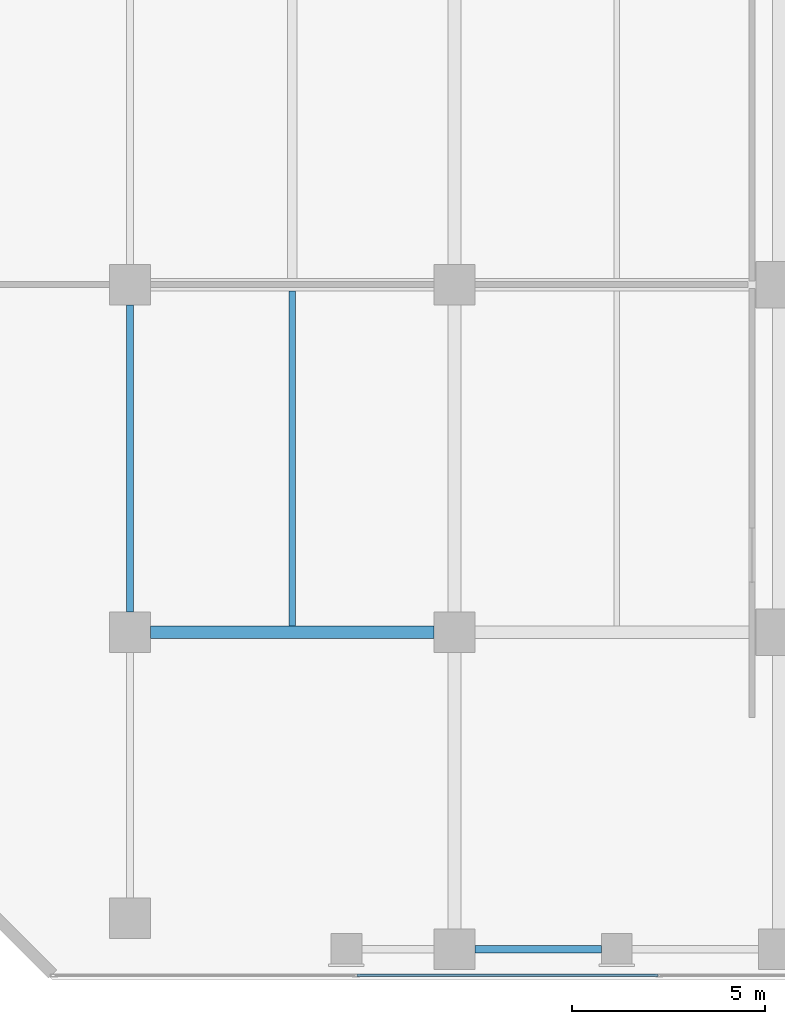
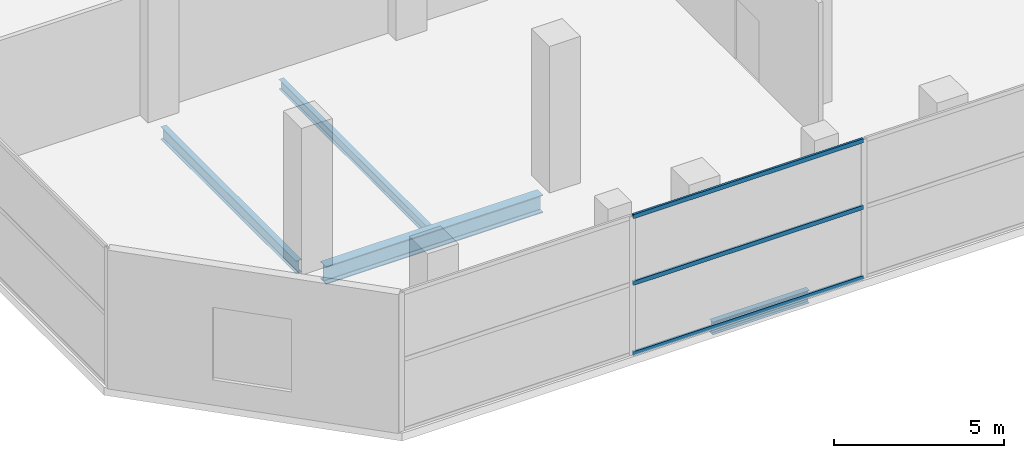
# One storey, part 5 of 40: 4 beams, 3 members, 1 element without a shape of its own.
"""IFC4 building model written with IfcOpenShell, lengths in metres."""

from ifc_helpers import new_model, si_unit, direction, frame, origin, origin_2d, place, context, subcontext, project, spatial, hollow_rectangle, i_section, extrude, material, layer, layer_set, material_profile, profile_set, type_object, element, aggregate, save


model = new_model("IFC4")

# Units and contexts
model_context = context("Model", 3, precision=1e-05, world=origin(), true_north=direction((0.0, 1.0)))
body_context = subcontext(model_context, "Body", "Model", "MODEL_VIEW")
ifc_project = project(units=[si_unit("LENGTHUNIT", "METRE"), si_unit("AREAUNIT", "SQUARE_METRE"), si_unit("VOLUMEUNIT", "CUBIC_METRE"), si_unit("PLANEANGLEUNIT", "RADIAN"), si_unit("MASSUNIT", "GRAM", prefix="KILO")], contexts=[model_context])

# Site, building, storey
site_placement = place(None, origin())
site = spatial("IfcSite", under=ifc_project, at=site_placement, CompositionType="ELEMENT")
building_placement = place(site_placement, origin())
building = spatial("IfcBuilding", under=site, at=building_placement, Name="Maruvema Waterfront Hotel and Observation Tower", CompositionType="ELEMENT")
storey_placement = place(building_placement, frame((0.0, 0.0, 5.60009765625)))
storey = spatial("IfcBuildingStorey", under=building, at=storey_placement, Name="L01", CompositionType="ELEMENT", Elevation=5.60009765625)

# Curtain wall, members
ifc_material_1 = material(Name="Anodised bronze aluminium and solar-control low-E IGU", Category="aluminium")
ifc_layer = layer(ifc_material_1, 0.159912109375, Name="Podium Waterfront Storefront Curtain Wall System CW-01")
ifc_layer_set = layer_set([ifc_layer], Name="Anodised bronze aluminium and solar-control low-E IGU")
curtain_wall_type = type_object("IfcCurtainWallType", Name="Podium Waterfront Storefront Curtain Wall System CW-01", PredefinedType="USERDEFINED", material=ifc_layer_set)
curtain_wall_placement = place(storey_placement, origin())
curtain_wall = element("IfcCurtainWall", 1, at=curtain_wall_placement, inside=storey, type_object=curtain_wall_type, Name="L01 Curtain Wall CW-L01-S", ObjectType="UNITISED CURTAIN WALL", PredefinedType="USERDEFINED")
ifc_material_2 = material(Name="Anodised architectural bronze aluminium", Category="aluminium")
ifc_material_profile_1 = material_profile(ifc_material_2, hollow_rectangle(XDim=0.070068359375, YDim=0.14990234375, WallThickness=0.00390625, at=origin_2d()), Name="ALU-T70x150")
ifc_profile_set_1 = profile_set([ifc_material_profile_1], Name="Anodised architectural bronze aluminium")
member_type = type_object("IfcMemberType", Name="Curtain Wall Horizontal Transom ALU-T70x150", PredefinedType="USERDEFINED", material=ifc_profile_set_1)
member_1_placement = place(storey_placement, frame((14.280029296875, 0.1201171875, 0.02978515625), z_axis=(1.0, 0.0, 0.0), x_axis=(0.0, 1.0, 0.0)))
member_1 = element("IfcMember", 2, at=member_1_placement, type_object=member_type, Name="CW-01 transom 2.1", ObjectType="TRANSOM", PredefinedType="USERDEFINED", context=body_context, shape_type="SweptSolid", body=[
    extrude(hollow_rectangle(XDim=0.070068359375, YDim=0.14990234375, WallThickness=0.00390625, at=origin_2d()), origin(), (0.0, 0.0, 1.0), 7.7900390625),
])
member_2_placement = place(storey_placement, frame((14.280029296875, 0.1201171875, 2.5498046875), z_axis=(1.0, 0.0, 0.0), x_axis=(0.0, 1.0, 0.0)))
member_2 = element("IfcMember", 3, at=member_2_placement, type_object=member_type, Name="CW-01 transom 2.2", ObjectType="TRANSOM", PredefinedType="USERDEFINED", context=body_context, shape_type="SweptSolid", body=[
    extrude(hollow_rectangle(XDim=0.070068359375, YDim=0.14990234375, WallThickness=0.00390625, at=origin_2d()), origin(), (0.0, 0.0, 1.0), 7.7900390625),
])
member_3_placement = place(storey_placement, frame((14.280029296875, 0.1201171875, 4.93994140625), z_axis=(1.0, 0.0, 0.0), x_axis=(0.0, 1.0, 0.0)))
member_3 = element("IfcMember", 4, at=member_3_placement, type_object=member_type, Name="CW-01 transom 2.3", ObjectType="TRANSOM", PredefinedType="USERDEFINED", context=body_context, shape_type="SweptSolid", body=[
    extrude(hollow_rectangle(XDim=0.070068359375, YDim=0.14990234375, WallThickness=0.00390625, at=origin_2d()), origin(), (0.0, 0.0, 1.0), 7.7900390625),
])
aggregate(curtain_wall, [member_1, member_2, member_3])

# Beams
ifc_material_3 = material(Name="Steel ASTM A572 Grade 50", Category="steel")
ifc_material_profile_2 = material_profile(ifc_material_3, i_section(OverallWidth=0.18994140625, OverallDepth=0.45703125, WebThickness=0.009033203125, FlangeThickness=0.014404296875, FilletRadius=0.014892578125, at=origin_2d()), Name="W460x74.0")
ifc_profile_set_2 = profile_set([ifc_material_profile_2], Name="Steel ASTM A572 Grade 50")
beam_type_1 = type_object("IfcBeamType", Name="Perimeter Spandrel Beam W460x74.0", PredefinedType="SPANDREL", material=ifc_profile_set_2)
beam_1_placement = place(storey_placement, frame((17.324951171875, 0.800048828125, -0.508544921875), z_axis=(1.0, 0.0, 0.0), x_axis=(0.0, 1.0, 0.0)))
element("IfcBeam", 5, at=beam_1_placement, inside=storey, type_object=beam_type_1, Name="L01 Floor Girder EW-02", PredefinedType="SPANDREL", context=body_context, shape_type="SweptSolid", body=[
    extrude(i_section(OverallWidth=0.18994140625, OverallDepth=0.45703125, WebThickness=0.009033203125, FlangeThickness=0.014404296875, FilletRadius=0.014892578125, at=origin_2d()), origin(), (0.0, 0.0, 1.0), 3.275146484375),
])
beam_2_placement = place(storey_placement, frame((8.39990234375, 9.52490234375, -0.508544921875), z_axis=(0.0, 1.0, 0.0), x_axis=(-1.0, 0.0, 0.0)))
element("IfcBeam", 6, at=beam_2_placement, inside=storey, type_object=beam_type_1, Name="L01 Floor Girder NS-02", PredefinedType="SPANDREL", context=body_context, shape_type="SweptSolid", body=[
    extrude(i_section(OverallWidth=0.18994140625, OverallDepth=0.45703125, WebThickness=0.009033203125, FlangeThickness=0.014404296875, FilletRadius=0.014892578125, at=origin_2d()), origin(), (0.0, 0.0, 1.0), 7.9501953125),
])
ifc_material_4 = material(Name="Steel ASTM A572 Grade 50", Category="steel")
ifc_material_profile_3 = material_profile(ifc_material_4, i_section(OverallWidth=0.3291015625, OverallDepth=0.635009765625, WebThickness=0.017822265625, FlangeThickness=0.031005859375, FilletRadius=0.01806640625, at=origin_2d()), Name="W610x241.0")
ifc_profile_set_3 = profile_set([ifc_material_profile_3], Name="Steel ASTM A572 Grade 50")
beam_type_2 = type_object("IfcBeamType", Name="Primary Floor Girder W610x241.0", PredefinedType="BEAM", material=ifc_profile_set_3)
beam_3_placement = place(storey_placement, frame((8.925048828125, 9.0, -0.59765625), z_axis=(1.0, 0.0, 0.0), x_axis=(0.0, 1.0, 0.0)))
element("IfcBeam", 7, at=beam_3_placement, inside=storey, type_object=beam_type_2, Name="L01 Floor Girder EW-10", PredefinedType="BEAM", context=body_context, shape_type="SweptSolid", body=[
    extrude(i_section(OverallWidth=0.3291015625, OverallDepth=0.635009765625, WebThickness=0.017822265625, FlangeThickness=0.031005859375, FilletRadius=0.01806640625, at=origin_2d()), origin(), (0.0, 0.0, 1.0), 7.349853515625),
])
ifc_material_5 = material(Name="Steel ASTM A572 Grade 50", Category="steel")
ifc_material_profile_4 = material_profile(ifc_material_5, i_section(OverallWidth=0.1708984375, OverallDepth=0.35498046875, WebThickness=0.007080078125, FlangeThickness=0.01171875, FilletRadius=0.014892578125, at=origin_2d()), Name="W360x51.0")
ifc_profile_set_4 = profile_set([ifc_material_profile_4], Name="Steel ASTM A572 Grade 50")
beam_type_3 = type_object("IfcBeamType", Name="Secondary Floor Joist W360x51.0", PredefinedType="JOIST", material=ifc_profile_set_4)
beam_4_placement = place(storey_placement, frame((12.60009765625, 9.16455078125, -0.45751953125), z_axis=(0.0, 1.0, 0.0), x_axis=(-1.0, 0.0, 0.0)))
element("IfcBeam", 8, at=beam_4_placement, inside=storey, type_object=beam_type_3, Name="L01 Secondary Floor Joist JS-01", PredefinedType="JOIST", context=body_context, shape_type="SweptSolid", body=[
    extrude(i_section(OverallWidth=0.1708984375, OverallDepth=0.35498046875, WebThickness=0.007080078125, FlangeThickness=0.01171875, FilletRadius=0.014892578125, at=origin_2d()), origin(), (0.0, 0.0, 1.0), 8.6708984375),
])

save(model, "model.ifc")
